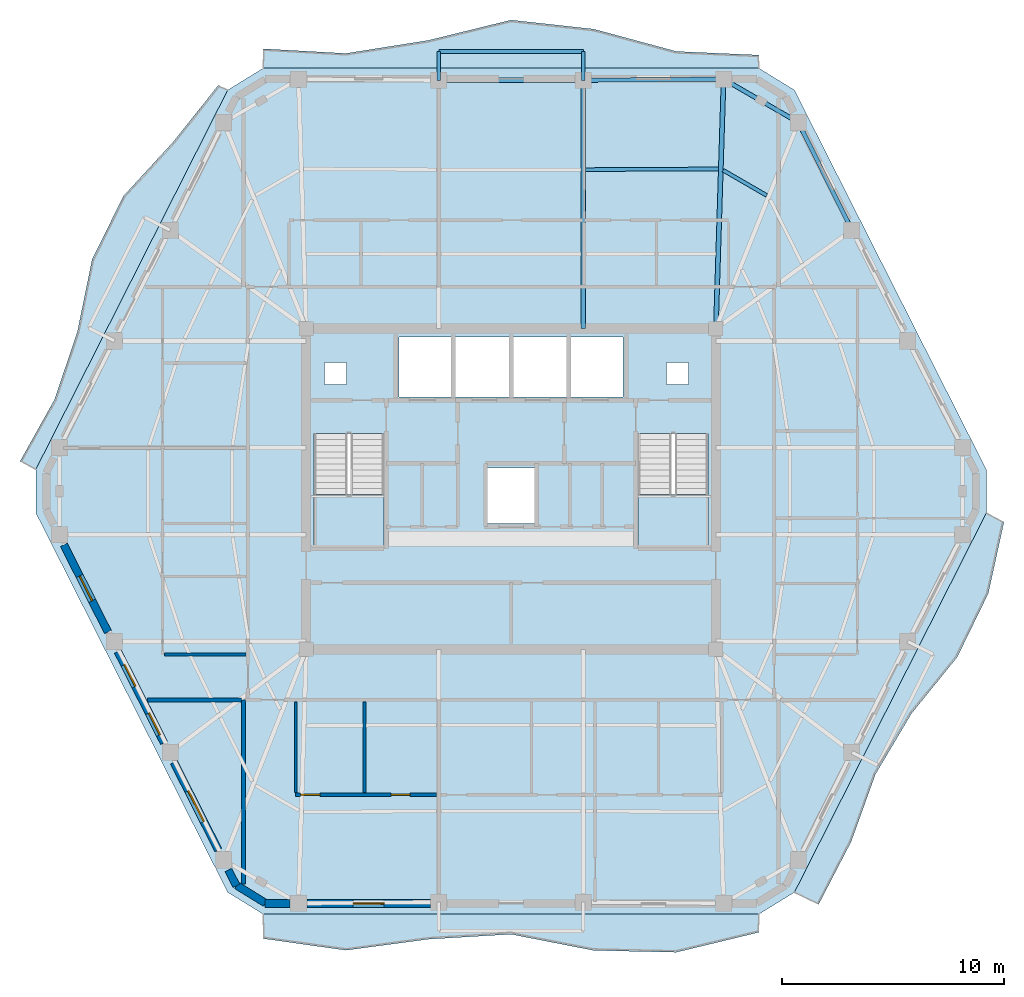
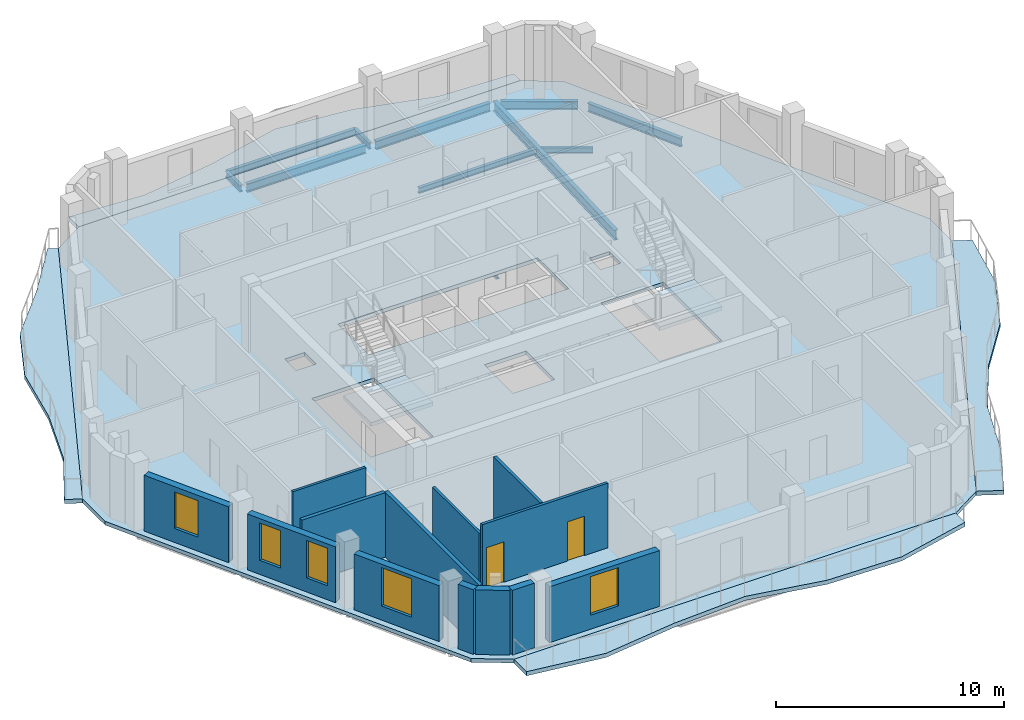
# One storey, part 3 of 11: 13 walls, 11 beams, 7 slabs, 5 windows, 2 doors, 7 openings, 2 elements without a shape of their own.
"""IFC4 building model written with IfcOpenShell, lengths in metres."""

from ifc_helpers import new_model, si_unit, direction, frame, frame_2d, origin, origin_2d, place, context, subcontext, project, spatial, polyline, rectangle, i_section, outline, extrude, material, layer, layer_set, material_profile, profile_set, type_object, element, fill, aggregate, save


model = new_model("IFC4")

# Units and contexts
model_context = context("Model", 3, precision=1e-05, world=origin(), true_north=direction((0.0, 1.0)))
body_context = subcontext(model_context, "Body", "Model", "MODEL_VIEW")
ifc_project = project(units=[si_unit("LENGTHUNIT", "METRE"), si_unit("AREAUNIT", "SQUARE_METRE"), si_unit("VOLUMEUNIT", "CUBIC_METRE"), si_unit("PLANEANGLEUNIT", "RADIAN"), si_unit("MASSUNIT", "GRAM", prefix="KILO")], contexts=[model_context])

# Site, building, storey
site_placement = place(None, origin())
site = spatial("IfcSite", under=ifc_project, at=site_placement, CompositionType="ELEMENT")
building_placement = place(site_placement, origin())
building = spatial("IfcBuilding", under=site, at=building_placement, Name="Cinnabar Lancet Tower", CompositionType="ELEMENT")
storey_placement = place(building_placement, frame((0.0, 0.0, 230.64990234375)))
storey = spatial("IfcBuildingStorey", under=building, at=storey_placement, Name="L61", CompositionType="ELEMENT", Elevation=230.64990234375)

# Beams
ifc_material_1 = material(Name="Structural steel S355", Category="steel")
ifc_material_profile_1 = material_profile(ifc_material_1, i_section(OverallWidth=0.1650390625, OverallDepth=0.303466796875, WebThickness=0.006103515625, FlangeThickness=0.01025390625, FilletRadius=0.0087890625, at=origin_2d()), Name="UKB 305x165x40")
ifc_profile_set_1 = profile_set([ifc_material_profile_1], Name="Structural steel S355")
beam_type_1 = type_object("IfcBeamType", Name="STR-BM-JST-305", PredefinedType="JOIST", material=ifc_profile_set_1)
beam_1_placement = place(storey_placement, frame((43.912109375, 39.1201171875, -0.351806640625), z_axis=(-0.865426285481, 0.501036270542, 0.0), x_axis=(-0.501036270542, -0.865426285481, 0.0)))
element("IfcBeam", 1, at=beam_1_placement, inside=storey, type_object=beam_type_1, Name="L61 Secondary Floor Joist 29", PredefinedType="JOIST", context=body_context, shape_type="SweptSolid", body=[
    extrude(i_section(OverallWidth=0.1650390625, OverallDepth=0.303466796875, WebThickness=0.006103515625, FlangeThickness=0.01025390625, FilletRadius=0.0087890625, at=origin_2d()), origin(), (0.0, 0.0, 1.0), 2.267333984375),
])
beam_2_placement = place(storey_placement, frame((41.741943359375, 40.31494140625, -0.351806640625), z_axis=(-0.999985712428, -0.005345553266, 0.0), x_axis=(0.005345553266, -0.999985712428, 0.0)))
element("IfcBeam", 2, at=beam_2_placement, inside=storey, type_object=beam_type_1, Name="L61 Secondary Floor Joist 30", PredefinedType="JOIST", context=body_context, shape_type="SweptSolid", body=[
    extrude(i_section(OverallWidth=0.1650390625, OverallDepth=0.303466796875, WebThickness=0.006103515625, FlangeThickness=0.01025390625, FilletRadius=0.0087890625, at=origin_2d()), origin(), (0.0, 0.0, 1.0), 5.98291015625),
])
ifc_material_2 = material(Name="Structural steel S355", Category="steel")
ifc_material_profile_2 = material_profile(ifc_material_2, i_section(OverallWidth=0.1904296875, OverallDepth=0.45703125, WebThickness=0.009033203125, FlangeThickness=0.014404296875, FilletRadius=0.01025390625, at=origin_2d()), Name="UKB 457x191x74")
ifc_profile_set_2 = profile_set([ifc_material_profile_2], Name="Structural steel S355")
beam_type_2 = type_object("IfcBeamType", Name="STR-BM-SPN-457", PredefinedType="SPANDREL", material=ifc_profile_set_2)
beam_3_placement = place(storey_placement, frame((47.637939453125, 37.778076171875, -0.428955078125), z_axis=(-0.444372599207, 0.895842058107, 0.0), x_axis=(-0.895842058107, -0.444372599207, 0.0)))
element("IfcBeam", 3, at=beam_3_placement, inside=storey, type_object=beam_type_2, Name="L61 Perimeter Spandrel 11", PredefinedType="SPANDREL", context=body_context, shape_type="SweptSolid", body=[
    extrude(i_section(OverallWidth=0.1904296875, OverallDepth=0.45703125, WebThickness=0.009033203125, FlangeThickness=0.014404296875, FilletRadius=0.01025390625, at=origin_2d()), origin(), (0.0, 0.0, 1.0), 4.91943359375),
])
beam_4_placement = place(storey_placement, frame((45.125, 42.533935546875, -0.428955078125), z_axis=(-0.865199693264, 0.501427453153, 0.0), x_axis=(-0.501427453153, -0.865199693264, 0.0)))
element("IfcBeam", 4, at=beam_4_placement, inside=storey, type_object=beam_type_2, Name="L61 Perimeter Spandrel 12", PredefinedType="SPANDREL", context=body_context, shape_type="SweptSolid", body=[
    extrude(i_section(OverallWidth=0.1904296875, OverallDepth=0.45703125, WebThickness=0.009033203125, FlangeThickness=0.014404296875, FilletRadius=0.01025390625, at=origin_2d()), origin(), (0.0, 0.0, 1.0), 3.39453125),
])
beam_5_placement = place(storey_placement, frame((41.721923828125, 44.35888671875, -0.428955078125), z_axis=(-0.999964782464, -0.008392486634, 0.0), x_axis=(0.008392486634, -0.999964782464, 0.0)))
element("IfcBeam", 5, at=beam_5_placement, inside=storey, type_object=beam_type_2, Name="L61 Perimeter Spandrel 13", PredefinedType="SPANDREL", context=body_context, shape_type="SweptSolid", body=[
    extrude(i_section(OverallWidth=0.1904296875, OverallDepth=0.45703125, WebThickness=0.009033203125, FlangeThickness=0.014404296875, FilletRadius=0.01025390625, at=origin_2d()), origin(), (0.0, 0.0, 1.0), 5.818115234375),
])
beam_6_placement = place(storey_placement, frame((35.404052734375, 44.30810546875, -0.428955078125), z_axis=(-1.0, 0.0, 0.0), x_axis=(0.0, -1.0, 0.0)))
element("IfcBeam", 6, at=beam_6_placement, inside=storey, type_object=beam_type_2, Name="L61 Perimeter Spandrel 14", PredefinedType="SPANDREL", context=body_context, shape_type="SweptSolid", body=[
    extrude(i_section(OverallWidth=0.1904296875, OverallDepth=0.45703125, WebThickness=0.009033203125, FlangeThickness=0.014404296875, FilletRadius=0.01025390625, at=origin_2d()), origin(), (0.0, 0.0, 1.0), 6.008056640625),
])
ifc_material_3 = material(Name="Structural steel S355", Category="steel")
ifc_material_profile_3 = material_profile(ifc_material_3, i_section(OverallWidth=0.209228515625, OverallDepth=0.533203125, WebThickness=0.010009765625, FlangeThickness=0.015625, FilletRadius=0.0126953125, at=origin_2d()), Name="UKB 533x210x92")
ifc_profile_set_3 = profile_set([ifc_material_profile_3], Name="Structural steel S355")
beam_type_3 = type_object("IfcBeamType", Name="STR-BM-UKB533-92", PredefinedType="BEAM", material=ifc_profile_set_3)
beam_7_placement = place(storey_placement, frame((41.971923828125, 44.361083984375, -0.466796875), z_axis=(-0.030861159652, -0.999523680973, 0.0), x_axis=(0.999523680973, -0.030861159652, 0.0)))
element("IfcBeam", 7, at=beam_7_placement, inside=storey, type_object=beam_type_3, Name="L61 Primary Floor Girder 13", PredefinedType="BEAM", context=body_context, shape_type="SweptSolid", body=[
    extrude(i_section(OverallWidth=0.209228515625, OverallDepth=0.533203125, WebThickness=0.010009765625, FlangeThickness=0.015625, FilletRadius=0.0126953125, at=origin_2d()), origin(), (0.0, 0.0, 1.0), 11.241455078125),
])
beam_8_placement = place(storey_placement, frame((35.654052734375, 44.30810546875, -0.466796875), z_axis=(0.0, -1.0, 0.0), x_axis=(1.0, 0.0, 0.0)))
element("IfcBeam", 8, at=beam_8_placement, inside=storey, type_object=beam_type_3, Name="L61 Primary Floor Girder 14", PredefinedType="BEAM", context=body_context, shape_type="SweptSolid", body=[
    extrude(i_section(OverallWidth=0.209228515625, OverallDepth=0.533203125, WebThickness=0.010009765625, FlangeThickness=0.015625, FilletRadius=0.0126953125, at=origin_2d()), origin(), (0.0, 0.0, 1.0), 11.18310546875),
])
ifc_material_4 = material(Name="Structural steel S355", Category="steel")
ifc_material_profile_4 = material_profile(ifc_material_4, i_section(OverallWidth=0.17138671875, OverallDepth=0.35498046875, WebThickness=0.00732421875, FlangeThickness=0.011474609375, FilletRadius=0.01025390625, at=origin_2d()), Name="UKB 356x171x51")
ifc_profile_set_4 = profile_set([ifc_material_profile_4], Name="Structural steel S355")
beam_type_4 = type_object("IfcBeamType", Name="STR-BM-WAV-OUT", PredefinedType="BEAM", material=ifc_profile_set_4)
for number, where, z_axis, x_axis, name in (
    (9, (35.654052734375, 44.30810546875, -0.39794921875), (0.0, 1.0, 0.0), (-1.0, 0.0, 0.0), "L61 Face 4 Balcony Outlooker A"),
    (10, (29.14599609375, 44.30810546875, -0.39794921875), (0.0, 1.0, 0.0), (-1.0, 0.0, 0.0), "L61 Face 4 Balcony Outlooker B"),
):
    element("IfcBeam", number, at=place(storey_placement, frame(where, z_axis=z_axis, x_axis=x_axis)), inside=storey, type_object=beam_type_4, Name=name, PredefinedType="BEAM", context=body_context, shape_type="SweptSolid", body=[
        extrude(i_section(OverallWidth=0.17138671875, OverallDepth=0.35498046875, WebThickness=0.00732421875, FlangeThickness=0.011474609375, FilletRadius=0.01025390625, at=origin_2d()), origin(), (0.0, 0.0, 1.0), 1.2998046875),
    ])
ifc_material_5 = material(Name="Structural steel S355", Category="steel")
ifc_material_profile_5 = material_profile(ifc_material_5, i_section(OverallWidth=0.17138671875, OverallDepth=0.35498046875, WebThickness=0.00732421875, FlangeThickness=0.011474609375, FilletRadius=0.01025390625, at=origin_2d()), Name="UKB 356x171x51")
ifc_profile_set_5 = profile_set([ifc_material_profile_5], Name="Structural steel S355")
beam_type_5 = type_object("IfcBeamType", Name="STR-BM-WAV-TRIM", PredefinedType="SPANDREL", material=ifc_profile_set_5)
beam_9_placement = place(storey_placement, frame((35.654052734375, 45.60791015625, -0.39794921875), z_axis=(-1.0, 0.0, 0.0), x_axis=(0.0, -1.0, 0.0)))
element("IfcBeam", 11, at=beam_9_placement, inside=storey, type_object=beam_type_5, Name="L61 Face 4 Balcony Edge Trimmer", PredefinedType="SPANDREL", context=body_context, shape_type="SweptSolid", body=[
    extrude(i_section(OverallWidth=0.17138671875, OverallDepth=0.35498046875, WebThickness=0.00732421875, FlangeThickness=0.011474609375, FilletRadius=0.01025390625, at=origin_2d()), origin(), (0.0, 0.0, 1.0), 6.508056640625),
])

# Stair, slab
ifc_material_6 = material(Name="Concrete C40/50", Category="concrete")
stair_type = type_object("IfcStairType", Name="ST-CORE", PredefinedType="HALF_TURN_STAIR", material=ifc_material_6)
stair_1_placement = place(storey_placement, origin())
stair_1 = element("IfcStair", 12, at=stair_1_placement, inside=storey, type_object=stair_type, Name="L61 ST-1", PredefinedType="HALF_TURN_STAIR")
ifc_material_7 = material(Name="Concrete C40/50", Category="concrete")
ifc_layer_1 = layer(ifc_material_7, 0.199951171875)
ifc_layer_set_1 = layer_set([ifc_layer_1], Name="Concrete C40/50")
slab_type_1 = type_object("IfcSlabType", Name="LANDING-CORE", PredefinedType="LANDING", material=ifc_layer_set_1)
slab_1_placement = place(storey_placement, frame((0.0, 0.0, 1.625)))
slab_1 = element("IfcSlab", 13, at=slab_1_placement, type_object=slab_type_1, Name="ST-1 landing 1", PredefinedType="LANDING", context=body_context, shape_type="SweptSolid", body=[
    extrude(outline(polyline([(23.52490234375, 25.64990234375), (23.52490234375, 23.25), (26.675048828125, 23.25), (26.675048828125, 25.64990234375), (23.52490234375, 25.64990234375)])), origin(), (0.0, 0.0, 1.0), 0.2001953125),
])
aggregate(stair_1, [slab_1])

stair_2_placement = place(storey_placement, origin())
stair_2 = element("IfcStair", 14, at=stair_2_placement, inside=storey, type_object=stair_type, Name="L61 ST-2", PredefinedType="HALF_TURN_STAIR")
slab_2_placement = place(storey_placement, frame((0.0, 0.0, 1.625)))
slab_2 = element("IfcSlab", 15, at=slab_2_placement, type_object=slab_type_1, Name="ST-2 landing 1", PredefinedType="LANDING", context=body_context, shape_type="SweptSolid", body=[
    extrude(outline(polyline([(38.125, 25.64990234375), (38.125, 23.25), (41.27490234375, 23.25), (41.27490234375, 25.64990234375), (38.125, 25.64990234375)])), origin(), (0.0, 0.0, 1.0), 0.2001953125),
])
aggregate(stair_2, [slab_2])

# Slabs
ifc_material_8 = material(Name="Concrete C40/50", Category="concrete")
ifc_layer_2 = layer(ifc_material_8, 0.199951171875)
ifc_layer_set_2 = layer_set([ifc_layer_2], Name="Concrete C40/50")
slab_type_2 = type_object("IfcSlabType", Name="STR-SLB-FLR-200", PredefinedType="FLOOR", material=ifc_layer_set_2)
slab_3_placement = place(storey_placement, frame((0.0, 0.0, -0.199951171875)))
element("IfcSlab", 16, at=slab_3_placement, inside=storey, type_object=slab_type_2, Name="L61 Structural Floor Slab", PredefinedType="FLOOR", context=body_context, shape_type="SweptSolid", body=[
    extrude(outline(polyline([(19.638916015625, 7.73193359375), (21.236083984375, 6.75), (43.56396484375, 6.75), (45.160888671875, 7.73193359375), (53.802978515625, 24.818115234375), (53.802978515625, 26.781982421875), (45.160888671875, 43.867919921875), (43.56396484375, 44.85009765625), (21.236083984375, 44.85009765625), (19.638916015625, 43.867919921875), (10.9970703125, 26.781982421875), (10.9970703125, 24.818115234375), (19.638916015625, 7.73193359375)]), holes=[polyline([(23.52490234375, 23.25), (26.675048828125, 23.25), (26.675048828125, 28.3994140625), (23.52490234375, 28.3994140625), (23.52490234375, 23.25)]), polyline([(38.125, 23.25), (41.27490234375, 23.25), (41.27490234375, 28.3994140625), (38.125, 28.3994140625), (38.125, 23.25)]), polyline([(27.35009765625, 30.050048828125), (37.449951171875, 30.050048828125), (37.449951171875, 32.75), (27.35009765625, 32.75), (27.35009765625, 30.050048828125)]), polyline([(31.35009765625, 24.35009765625), (33.449951171875, 24.35009765625), (33.449951171875, 26.85009765625), (31.35009765625, 26.85009765625), (31.35009765625, 24.35009765625)]), polyline([(24.0, 30.60009765625), (25.0, 30.60009765625), (25.0, 31.60009765625), (24.0, 31.60009765625), (24.0, 30.60009765625)]), polyline([(39.39990234375, 30.60009765625), (40.39990234375, 30.60009765625), (40.39990234375, 31.60009765625), (39.39990234375, 31.60009765625), (39.39990234375, 30.60009765625)])]), origin(), (0.0, 0.0, 1.0), 0.199951171875),
])
ifc_material_9 = material(Name="Concrete C45/55", Category="concrete")
ifc_layer_3 = layer(ifc_material_9, 0.219970703125)
ifc_layer_set_3 = layer_set([ifc_layer_3], Name="Concrete C45/55")
slab_type_3 = type_object("IfcSlabType", Name="STR-SLB-WAV-220", PredefinedType="FLOOR", material=ifc_layer_set_3)
slab_4_placement = place(storey_placement, frame((0.0, 0.0, -0.219970703125)))
element("IfcSlab", 17, at=slab_4_placement, inside=storey, type_object=slab_type_3, Name="L61 Face 1 Undulating Wave Balcony Slab", PredefinedType="FLOOR", context=body_context, shape_type="SweptSolid", body=[
    extrude(outline(polyline([(21.236083984375, 6.75), (21.236083984375, 5.64990234375), (24.95703125, 5.1240234375), (28.678955078125, 5.6220703125), (32.39990234375, 5.843994140625), (36.12109375, 5.115966796875), (39.843017578125, 5.032958984375), (43.56396484375, 5.93310546875), (43.56396484375, 6.75), (21.236083984375, 6.75)])), origin(), (0.0, 0.0, 1.0), 0.219970703125),
])
slab_5_placement = place(storey_placement, frame((0.0, 0.0, -0.219970703125)))
element("IfcSlab", 18, at=slab_5_placement, inside=storey, type_object=slab_type_3, Name="L61 Face 2 Undulating Wave Balcony Slab", PredefinedType="FLOOR", context=body_context, shape_type="SweptSolid", body=[
    extrude(outline(polyline([(45.160888671875, 7.73193359375), (46.2470703125, 7.18310546875), (47.717041015625, 10.014892578125), (48.805908203125, 13.041015625), (50.43896484375, 15.791015625), (52.493896484375, 18.326904296875), (53.89404296875, 21.196044921875), (54.60107421875, 24.4150390625), (53.802978515625, 24.818115234375), (45.160888671875, 7.73193359375)])), origin(), (0.0, 0.0, 1.0), 0.219970703125),
])
slab_6_placement = place(storey_placement, frame((0.0, 0.0, -0.219970703125)))
element("IfcSlab", 19, at=slab_6_placement, inside=storey, type_object=slab_type_3, Name="L61 Face 4 Undulating Wave Balcony Slab", PredefinedType="FLOOR", context=body_context, shape_type="SweptSolid", body=[
    extrude(outline(polyline([(43.56396484375, 44.85009765625), (43.56396484375, 45.443115234375), (39.843017578125, 45.60888671875), (36.12109375, 46.614013671875), (32.39990234375, 47.02197265625), (28.678955078125, 46.10791015625), (24.95703125, 45.51806640625), (21.236083984375, 45.72509765625), (21.236083984375, 44.85009765625), (43.56396484375, 44.85009765625)])), origin(), (0.0, 0.0, 1.0), 0.219970703125),
])
slab_7_placement = place(storey_placement, frame((0.0, 0.0, -0.219970703125)))
element("IfcSlab", 20, at=slab_7_placement, inside=storey, type_object=slab_type_3, Name="L61 Face 5 Undulating Wave Balcony Slab", PredefinedType="FLOOR", context=body_context, shape_type="SweptSolid", body=[
    extrude(outline(polyline([(19.638916015625, 43.867919921875), (19.214111328125, 44.0830078125), (17.18603515625, 41.532958984375), (14.94189453125, 39.091064453125), (13.529052734375, 36.22998046875), (12.868896484375, 32.987060546875), (11.841064453125, 29.930908203125), (10.283935546875, 27.14306640625), (10.9970703125, 26.781982421875), (19.638916015625, 43.867919921875)])), origin(), (0.0, 0.0, 1.0), 0.219970703125),
])

# Walls
ifc_material_10 = material(Name="Fire-rated twin-frame acoustic drywall", Category="gypsum")
ifc_layer_4 = layer(ifc_material_10, 0.179931640625)
ifc_layer_set_4 = layer_set([ifc_layer_4], Name="Fire-rated twin-frame acoustic drywall")
wall_type_1 = type_object("IfcWallType", Name="ARC-WL-PARTY-180", PredefinedType="PARTITIONING", material=ifc_layer_set_4)
wall_1_placement = place(storey_placement, frame((20.35009765625, 8.118896484375, 0.0), z_axis=(0.0, 0.0, 1.0), x_axis=(0.0, 1.0, 0.0)))
element("IfcWall", 21, at=wall_1_placement, inside=storey, type_object=wall_type_1, Name="PW-L61-SPTY-204", PredefinedType="PARTITIONING", context=body_context, shape_type="SweptSolid", body=[
    extrude(rectangle(XDim=8.281005859375, YDim=0.179931640625, at=frame_2d((4.140625, 0.0))), origin(), (0.0, 0.0, 1.0), 3.4501953125),
])
wall_2_placement = place(storey_placement, frame((16.033935546875, 16.39990234375, 0.0), z_axis=(0.0, 0.0, 1.0), x_axis=(1.0, 0.0, 0.0)))
element("IfcWall", 22, at=wall_2_placement, inside=storey, type_object=wall_type_1, Name="PW-L61-WSB", PredefinedType="PARTITIONING", context=body_context, shape_type="SweptSolid", body=[
    extrude(rectangle(XDim=4.220947265625, YDim=0.179931640625, at=frame_2d((2.1103515625, 0.0))), origin(), (0.0, 0.0, 1.0), 3.4501953125),
])
ifc_material_11 = material(Name="Gypsum plasterboard stud partition", Category="gypsum")
ifc_layer_5 = layer(ifc_material_11, 0.125)
ifc_layer_set_5 = layer_set([ifc_layer_5], Name="Gypsum plasterboard stud partition")
wall_type_2 = type_object("IfcWallType", Name="ARC-WL-UNIT-125", PredefinedType="PARTITIONING", material=ifc_layer_set_5)
wall_3_placement = place(storey_placement, frame((22.699951171875, 12.235107421875, 0.0), z_axis=(0.0, 0.0, 1.0), x_axis=(0.0, 1.0, 0.0)))
element("IfcWall", 23, at=wall_3_placement, inside=storey, type_object=wall_type_2, Name="UW-L61-S01-FOYE", PredefinedType="PARTITIONING", context=body_context, shape_type="SweptSolid", body=[
    extrude(rectangle(XDim=4.079833984375, YDim=0.125, at=frame_2d((2.0400390625, 0.0))), origin(), (0.0, 0.0, 1.0), 2.906982421875),
])
wall_4_placement = place(storey_placement, frame((16.784912109375, 18.449951171875, 0.0), z_axis=(0.0, 0.0, 1.0), x_axis=(1.0, 0.0, 0.0)))
element("IfcWall", 24, at=wall_4_placement, inside=storey, type_object=wall_type_2, Name="UW-L61-W01-FOYN", PredefinedType="PARTITIONING", context=body_context, shape_type="SweptSolid", body=[
    extrude(rectangle(XDim=3.68017578125, YDim=0.125, at=frame_2d((1.840087890625, 0.0))), origin(), (0.0, 0.0, 1.0), 3.4501953125),
])

# Wall, openings, doors
ifc_material_12 = material(Name="Moisture-resistant cement-board plumbing wall", Category="masonry")
ifc_layer_6 = layer(ifc_material_12, 0.139892578125)
ifc_layer_set_6 = layer_set([ifc_layer_6], Name="Moisture-resistant cement-board plumbing wall")
wall_type_3 = type_object("IfcWallType", Name="ARC-WL-WET-140", PredefinedType="PLUMBINGWALL", material=ifc_layer_set_6)
wall_5_placement = place(storey_placement, frame((22.699951171875, 12.1298828125, 0.0), z_axis=(0.0, 0.0, 1.0), x_axis=(1.0, 0.0, 0.0)))
wall_5 = element("IfcWall", 25, at=wall_5_placement, inside=storey, type_object=wall_type_3, Name="UW-L61-S01-SPL", PredefinedType="PLUMBINGWALL", context=body_context, shape_type="SweptSolid", body=[
    extrude(rectangle(XDim=6.35107421875, YDim=0.139892578125, at=frame_2d((3.175537109375, 0.0))), origin(), (0.0, 0.0, 1.0), 3.4501953125),
])
opening_1_placement = place(wall_5_placement, frame((4.298095703125, 0.0, 0.0)))
opening_1 = element("IfcOpeningElement", 26, at=opening_1_placement, cuts=wall_5, Name="Opening BD-01", PredefinedType="OPENING", context=body_context, shape_type="SweptSolid", body=[
    extrude(rectangle(XDim=0.860107421875, YDim=2.10009765625, at=frame_2d((0.43017578125, 1.050048828125))), frame((0.0, 0.079833984375, 0.0), z_axis=(0.0, -1.0, 0.0), x_axis=(1.0, 0.0, 0.0)), (0.0, 0.0, 1.0), 0.159912109375),
])
opening_2_placement = place(wall_5_placement, frame((0.219970703125, 0.0, 0.0)))
opening_2 = element("IfcOpeningElement", 27, at=opening_2_placement, cuts=wall_5, Name="Opening RD-02", PredefinedType="OPENING", context=body_context, shape_type="SweptSolid", body=[
    extrude(rectangle(XDim=0.8798828125, YDim=2.14990234375, at=frame_2d((0.43994140625, 1.074951171875))), frame((0.0, 0.079833984375, 0.0), z_axis=(0.0, -1.0, 0.0), x_axis=(1.0, 0.0, 0.0)), (0.0, 0.0, 1.0), 0.159912109375),
])
ifc_material_13 = material(Name="Moisture-resistant timber bathroom door", Category="wood")
door_type_1 = type_object("IfcDoorType", Name="ARC-DR-BATH", OperationType="NOTDEFINED", PredefinedType="DOOR", material=ifc_material_13)
door_1_placement = place(opening_1_placement, origin())
door_1 = element("IfcDoor", 28, at=door_1_placement, inside=storey, type_object=door_type_1, Name="DR-L61-S01-BTH", OperationType="SINGLE_SWING_LEFT", OverallHeight=2.10009765625, OverallWidth=0.860107421875, PredefinedType="DOOR", context=body_context, shape_type="SweptSolid", body=[
    extrude(rectangle(XDim=0.860107421875, YDim=2.10009765625, at=frame_2d((0.43017578125, 1.050048828125))), frame((0.0, 0.02490234375, 0.0), z_axis=(0.0, -1.0, 0.0), x_axis=(1.0, 0.0, 0.0)), (0.0, 0.0, 1.0), 0.050048828125),
])
fill(opening_1, door_1)
ifc_material_14 = material(Name="Engineered timber study door", Category="wood")
door_type_2 = type_object("IfcDoorType", Name="ARC-DR-STUDY", OperationType="NOTDEFINED", PredefinedType="DOOR", material=ifc_material_14)
door_2_placement = place(opening_2_placement, origin())
door_2 = element("IfcDoor", 29, at=door_2_placement, inside=storey, type_object=door_type_2, Name="DR-L61-S01-KIT", OperationType="SINGLE_SWING_RIGHT", OverallHeight=2.14990234375, OverallWidth=0.8798828125, PredefinedType="DOOR", context=body_context, shape_type="SweptSolid", body=[
    extrude(rectangle(XDim=0.8798828125, YDim=2.14990234375, at=frame_2d((0.43994140625, 1.074951171875))), frame((0.0, 0.02490234375, 0.0), z_axis=(0.0, -1.0, 0.0), x_axis=(1.0, 0.0, 0.0)), (0.0, 0.0, 1.0), 0.050048828125),
])
fill(opening_2, door_2)

# Walls
wall_6_placement = place(storey_placement, frame((25.7939453125, 12.235107421875, 0.0), z_axis=(0.0, 0.0, 1.0), x_axis=(0.0, 1.0, 0.0)))
element("IfcWall", 30, at=wall_6_placement, inside=storey, type_object=wall_type_3, Name="UW-L61-S01-KDV", PredefinedType="PLUMBINGWALL", context=body_context, shape_type="SweptSolid", body=[
    extrude(rectangle(XDim=4.079833984375, YDim=0.139892578125, at=frame_2d((2.0400390625, 0.0))), origin(), (0.0, 0.0, 1.0), 3.4501953125),
])
ifc_material_15 = material(Name="Cinnabar red clay brick", Category="masonry")
ifc_layer_7 = layer(ifc_material_15, 0.340087890625)
ifc_layer_set_7 = layer_set([ifc_layer_7], Name="Cinnabar red clay brick")
wall_type_4 = type_object("IfcWallType", Name="ENV-WL-BRK-RED-340", PredefinedType="STANDARD", material=ifc_layer_set_7)
wall_7_placement = place(storey_placement, frame((20.047119140625, 8.044921875, 0.0), z_axis=(0.0, 0.0, 1.0), x_axis=(0.851680557619, -0.52406128246, 0.0)))
element("IfcWall", 31, at=wall_7_placement, inside=storey, type_object=wall_type_4, Name="L61 Chamfered Corner Brick Pier 1.1", PredefinedType="STANDARD", context=body_context, shape_type="SweptSolid", body=[
    extrude(rectangle(XDim=1.507568359375, YDim=0.340087890625, at=frame_2d((0.75390625, 0.0))), origin(), (0.0, 0.0, 1.0), 3.4501953125),
])
wall_8_placement = place(storey_placement, frame((21.325927734375, 7.22998046875, 0.0), z_axis=(0.0, 0.0, 1.0), x_axis=(1.0, 0.0, 0.0)))
element("IfcWall", 32, at=wall_8_placement, inside=storey, type_object=wall_type_4, Name="L61 Face 1 Masonry Bay Wall 1", PredefinedType="STANDARD", context=body_context, shape_type="SweptSolid", body=[
    extrude(rectangle(XDim=1.123046875, YDim=0.340087890625, at=frame_2d((0.5615234375, 0.0))), origin(), (0.0, 0.0, 1.0), 3.4501953125),
])

# Wall, opening, window
wall_9_placement = place(storey_placement, frame((23.20703125, 7.22998046875, 0.0), z_axis=(0.0, 0.0, 1.0), x_axis=(1.0, 0.0, 0.0)))
wall_9 = element("IfcWall", 33, at=wall_9_placement, inside=storey, type_object=wall_type_4, Name="L61 Face 1 Masonry Bay Wall 2", PredefinedType="STANDARD", context=body_context, shape_type="SweptSolid", body=[
    extrude(rectangle(XDim=5.56005859375, YDim=0.340087890625, at=frame_2d((2.780029296875, 0.0))), origin(), (0.0, 0.0, 1.0), 2.983154296875),
])
opening_3_placement = place(wall_9_placement, frame((2.080078125, 0.0, 0.75)))
opening_3 = element("IfcOpeningElement", 34, at=opening_3_placement, cuts=wall_9, Name="Opening WN-02", PredefinedType="OPENING", context=body_context, shape_type="SweptSolid", body=[
    extrude(rectangle(XDim=1.39990234375, YDim=2.050048828125, at=frame_2d((0.699951171875, 1.02490234375))), frame((0.0, 0.179931640625, 0.0), z_axis=(0.0, -1.0, 0.0), x_axis=(1.0, 0.0, 0.0)), (0.0, 0.0, 1.0), 0.360107421875),
])
ifc_material_16 = material(Name="Thermally broken bronze-anodized aluminium low-E double glazing", Category="aluminium")
window_type_1 = type_object("IfcWindowType", Name="ENV-WN-LANCET-1400", PartitioningType="SINGLE_PANEL", PredefinedType="WINDOW", material=ifc_material_16)
window_1_placement = place(opening_3_placement, origin())
window_1 = element("IfcWindow", 35, at=window_1_placement, inside=storey, type_object=window_type_1, Name="L61 Face 1 Gothic Lancet Window 2", OverallHeight=2.050048828125, OverallWidth=1.39990234375, PartitioningType="SINGLE_PANEL", PredefinedType="WINDOW", context=body_context, shape_type="SweptSolid", body=[
    extrude(rectangle(XDim=1.39990234375, YDim=2.050048828125, at=frame_2d((0.699951171875, 1.02490234375))), frame((0.0, 0.030029296875, 0.0), z_axis=(0.0, -1.0, 0.0), x_axis=(1.0, 0.0, 0.0)), (0.0, 0.0, 1.0), 0.06005859375),
])
fill(opening_3, window_1)

wall_10_placement = place(storey_placement, frame((12.257080078125, 23.388916015625, 0.0), z_axis=(0.0, 0.0, 1.0), x_axis=(0.45130817501, -0.892368158984, 0.0)))
wall_10 = element("IfcWall", 36, at=wall_10_placement, inside=storey, type_object=wall_type_4, Name="L61 Face 6 Masonry Bay Wall 2", PredefinedType="STANDARD", context=body_context, shape_type="SweptSolid", body=[
    extrude(rectangle(XDim=4.4072265625, YDim=0.340087890625, at=frame_2d((2.20361328125, 0.0))), origin(), (0.0, 0.0, 1.0), 2.983154296875),
])
opening_4_placement = place(wall_10_placement, frame((1.5791015625, 0.0, 0.75)))
opening_4 = element("IfcOpeningElement", 37, at=opening_4_placement, cuts=wall_10, Name="Opening WN-03", PredefinedType="OPENING", context=body_context, shape_type="SweptSolid", body=[
    extrude(rectangle(XDim=1.25, YDim=1.949951171875, at=frame_2d((0.625, 0.97509765625))), frame((0.0, 0.179931640625, 0.0), z_axis=(0.0, -1.0, 0.0), x_axis=(1.0, 0.0, 0.0)), (0.0, 0.0, 1.0), 0.360107421875),
])
ifc_material_17 = material(Name="Thermally broken bronze-anodized aluminium low-E double glazing", Category="aluminium")
window_type_2 = type_object("IfcWindowType", Name="ENV-WN-LANCET-1250", PartitioningType="SINGLE_PANEL", PredefinedType="WINDOW", material=ifc_material_17)
window_2_placement = place(opening_4_placement, origin())
window_2 = element("IfcWindow", 38, at=window_2_placement, inside=storey, type_object=window_type_2, Name="L61 Face 6 Gothic Lancet Window 2", OverallHeight=1.949951171875, OverallWidth=1.25, PartitioningType="SINGLE_PANEL", PredefinedType="WINDOW", context=body_context, shape_type="SweptSolid", body=[
    extrude(rectangle(XDim=1.25, YDim=1.949951171875, at=frame_2d((0.625, 0.97509765625))), frame((0.0, 0.030029296875, 0.0), z_axis=(0.0, -1.0, 0.0), x_axis=(1.0, 0.0, 0.0)), (0.0, 0.0, 1.0), 0.06005859375),
])
fill(opening_4, window_2)

# Wall, openings, windows
wall_11_placement = place(storey_placement, frame((14.69091796875, 18.576904296875, 0.0), z_axis=(0.0, 0.0, 1.0), x_axis=(0.451581819983, -0.892229712496, 0.0)))
wall_11 = element("IfcWall", 39, at=wall_11_placement, inside=storey, type_object=wall_type_4, Name="L61 Face 6 Masonry Bay Wall 3", PredefinedType="STANDARD", context=body_context, shape_type="SweptSolid", body=[
    extrude(rectangle(XDim=4.599609375, YDim=0.340087890625, at=frame_2d((2.2998046875, 0.0))), origin(), (0.0, 0.0, 1.0), 2.983154296875),
])
opening_5_placement = place(wall_11_placement, frame((0.64892578125, 0.0, 0.75)))
opening_5 = element("IfcOpeningElement", 40, at=opening_5_placement, cuts=wall_11, Name="Opening WN-04", PredefinedType="OPENING", context=body_context, shape_type="SweptSolid", body=[
    extrude(rectangle(XDim=1.10009765625, YDim=2.0, at=frame_2d((0.550048828125, 1.0))), frame((0.0, 0.179931640625, 0.0), z_axis=(0.0, -1.0, 0.0), x_axis=(1.0, 0.0, 0.0)), (0.0, 0.0, 1.0), 0.360107421875),
])
opening_6_placement = place(wall_11_placement, frame((3.10009765625, 0.0, 0.75)))
opening_6 = element("IfcOpeningElement", 41, at=opening_6_placement, cuts=wall_11, Name="Opening WN-04", PredefinedType="OPENING", context=body_context, shape_type="SweptSolid", body=[
    extrude(rectangle(XDim=1.10009765625, YDim=2.0, at=frame_2d((0.550048828125, 1.0))), frame((0.0, 0.179931640625, 0.0), z_axis=(0.0, -1.0, 0.0), x_axis=(1.0, 0.0, 0.0)), (0.0, 0.0, 1.0), 0.360107421875),
])
ifc_material_18 = material(Name="Thermally broken bronze-anodized aluminium tall lancet window", Category="aluminium")
window_type_3 = type_object("IfcWindowType", Name="ENV-WN-LANCET-1100", PartitioningType="SINGLE_PANEL", PredefinedType="WINDOW", material=ifc_material_18)
window_3_placement = place(opening_5_placement, origin())
window_3 = element("IfcWindow", 42, at=window_3_placement, inside=storey, type_object=window_type_3, Name="L61 Face 6 Gothic Lancet Window 3", OverallHeight=2.0, OverallWidth=1.10009765625, PartitioningType="SINGLE_PANEL", PredefinedType="WINDOW", context=body_context, shape_type="SweptSolid", body=[
    extrude(rectangle(XDim=1.10009765625, YDim=2.0, at=frame_2d((0.550048828125, 1.0))), frame((0.0, 0.030029296875, 0.0), z_axis=(0.0, -1.0, 0.0), x_axis=(1.0, 0.0, 0.0)), (0.0, 0.0, 1.0), 0.06005859375),
])
fill(opening_5, window_3)
window_4_placement = place(opening_6_placement, origin())
window_4 = element("IfcWindow", 43, at=window_4_placement, inside=storey, type_object=window_type_3, Name="L61 Split-Bay Gothic Lancet Window 214", OverallHeight=2.0, OverallWidth=1.10009765625, PartitioningType="SINGLE_PANEL", PredefinedType="WINDOW", context=body_context, shape_type="SweptSolid", body=[
    extrude(rectangle(XDim=1.10009765625, YDim=2.0, at=frame_2d((0.550048828125, 1.0))), frame((0.0, 0.030029296875, 0.0), z_axis=(0.0, -1.0, 0.0), x_axis=(1.0, 0.0, 0.0)), (0.0, 0.0, 1.0), 0.06005859375),
])
fill(opening_6, window_4)

# Wall, opening, window
wall_12_placement = place(storey_placement, frame((17.214111328125, 13.590087890625, 0.0), z_axis=(0.0, 0.0, 1.0), x_axis=(0.451440846853, -0.892301048858, 0.0)))
wall_12 = element("IfcWall", 44, at=wall_12_placement, inside=storey, type_object=wall_type_4, Name="L61 Face 6 Masonry Bay Wall 4", PredefinedType="STANDARD", context=body_context, shape_type="SweptSolid", body=[
    extrude(rectangle(XDim=4.43017578125, YDim=0.340087890625, at=frame_2d((2.215087890625, 0.0))), origin(), (0.0, 0.0, 1.0), 2.983154296875),
])
opening_7_placement = place(wall_12_placement, frame((1.43994140625, 0.0, 0.75)))
opening_7 = element("IfcOpeningElement", 45, at=opening_7_placement, cuts=wall_12, Name="Opening WN-01", PredefinedType="OPENING", context=body_context, shape_type="SweptSolid", body=[
    extrude(rectangle(XDim=1.550048828125, YDim=2.050048828125, at=frame_2d((0.77490234375, 1.02490234375))), frame((0.0, 0.179931640625, 0.0), z_axis=(0.0, -1.0, 0.0), x_axis=(1.0, 0.0, 0.0)), (0.0, 0.0, 1.0), 0.360107421875),
])
ifc_material_19 = material(Name="Thermally broken bronze-anodized aluminium low-E double glazing", Category="aluminium")
window_type_4 = type_object("IfcWindowType", Name="ENV-WN-LANCET-1550", PartitioningType="SINGLE_PANEL", PredefinedType="WINDOW", material=ifc_material_19)
window_5_placement = place(opening_7_placement, origin())
window_5 = element("IfcWindow", 46, at=window_5_placement, inside=storey, type_object=window_type_4, Name="L61 Face 6 Gothic Lancet Window 4", OverallHeight=2.050048828125, OverallWidth=1.550048828125, PartitioningType="SINGLE_PANEL", PredefinedType="WINDOW", context=body_context, shape_type="SweptSolid", body=[
    extrude(rectangle(XDim=1.550048828125, YDim=2.050048828125, at=frame_2d((0.77490234375, 1.02490234375))), frame((0.0, 0.030029296875, 0.0), z_axis=(0.0, -1.0, 0.0), x_axis=(1.0, 0.0, 0.0)), (0.0, 0.0, 1.0), 0.06005859375),
])
fill(opening_7, window_5)

# Wall
wall_13_placement = place(storey_placement, frame((19.669921875, 8.735107421875, 0.0), z_axis=(0.0, 0.0, 1.0), x_axis=(0.451404919072, -0.89231922485, 0.0)))
element("IfcWall", 47, at=wall_13_placement, inside=storey, type_object=wall_type_4, Name="L61 Face 6 Masonry Bay Wall 5", PredefinedType="STANDARD", context=body_context, shape_type="SweptSolid", body=[
    extrude(rectangle(XDim=0.791259765625, YDim=0.340087890625, at=frame_2d((0.3955078125, 0.0))), origin(), (0.0, 0.0, 1.0), 3.4501953125),
])

save(model, "model.ifc")
